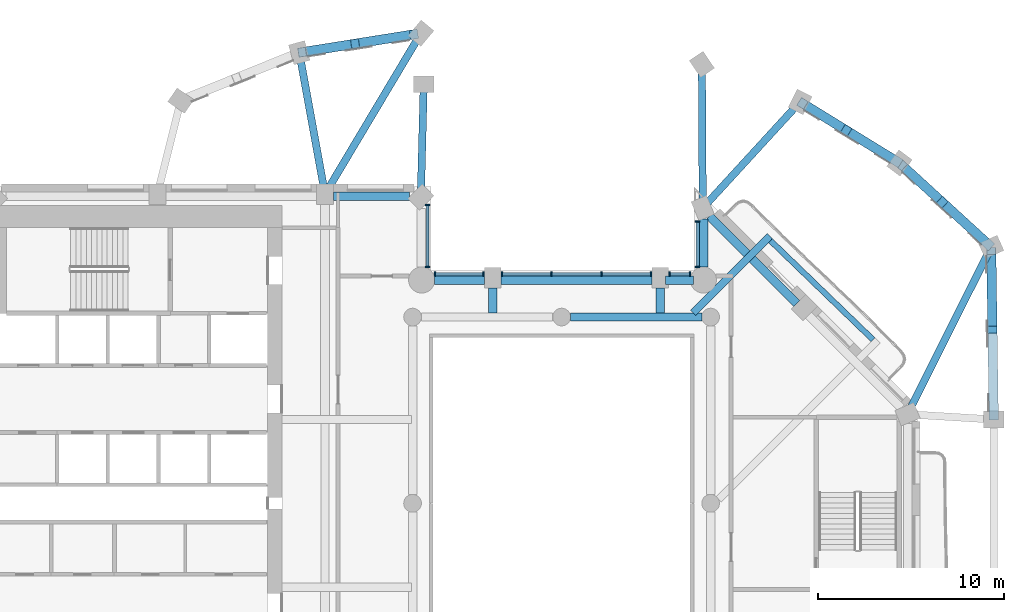
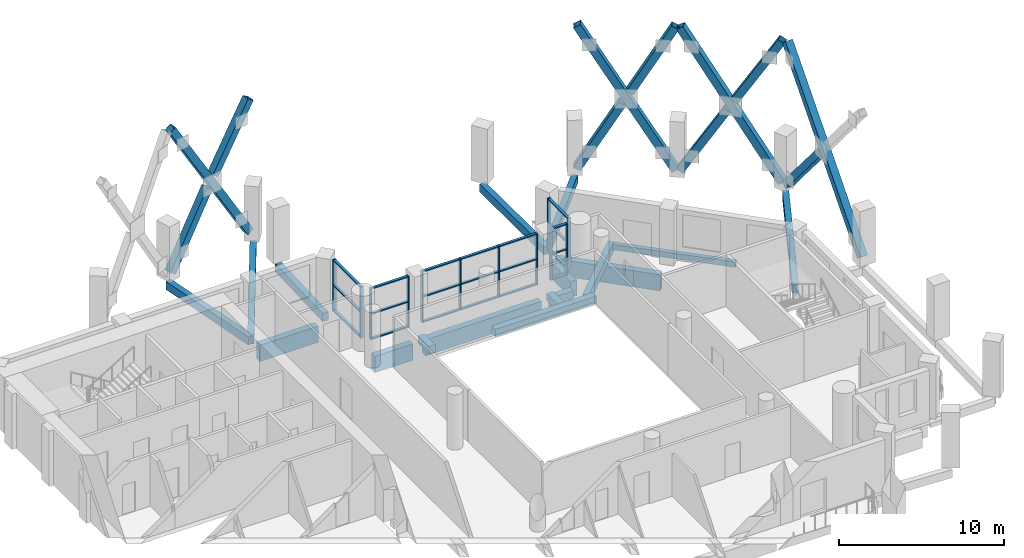
# One storey, part 2 of 15: 44 members, 17 beams, 5 elements without a shape of their own.
"""IFC4 building model written with IfcOpenShell, lengths in metres."""

from ifc_helpers import new_model, si_unit, direction, frame, origin, origin_2d, place, context, subcontext, project, spatial, rectangle, hollow_rectangle, extrude, material, material_profile, profile_set, type_object, element, aggregate, save


model = new_model("IFC4")

# Units and contexts
model_context = context("Model", 3, precision=1e-05, world=origin(), true_north=direction((0.0, 1.0)))
body_context = subcontext(model_context, "Body", "Model", "MODEL_VIEW")
ifc_project = project(units=[si_unit("LENGTHUNIT", "METRE"), si_unit("AREAUNIT", "SQUARE_METRE"), si_unit("VOLUMEUNIT", "CUBIC_METRE"), si_unit("PLANEANGLEUNIT", "RADIAN"), si_unit("MASSUNIT", "GRAM", prefix="KILO")], contexts=[model_context])

# Site, building, storey
site_placement = place(None, origin())
site = spatial("IfcSite", under=ifc_project, at=site_placement, CompositionType="ELEMENT")
building_placement = place(site_placement, origin())
building = spatial("IfcBuilding", under=site, at=building_placement, Name="Cypress Arch Tower", CompositionType="ELEMENT")
storey_placement = place(building_placement, frame((0.0, 0.0, 193.300048828125)))
storey = spatial("IfcBuildingStorey", under=building, at=storey_placement, Name="L42", CompositionType="ELEMENT", Elevation=193.300048828125)

# Beams
ifc_material_1 = material(Name="Concrete C50/60", Category="concrete")
ifc_material_profile_1 = material_profile(ifc_material_1, rectangle(XDim=0.300048828125, YDim=0.39990234375, at=origin_2d()), Name="RC 300x400")
ifc_profile_set_1 = profile_set([ifc_material_profile_1], Name="Concrete C50/60")
beam_type_1 = type_object("IfcBeamType", Name="Balcony edge beam RC 300x400 Concrete C50/60", PredefinedType="BEAM", material=ifc_profile_set_1)
beam_1_placement = place(storey_placement, frame((17.72216796875, 8.78076171875, -0.5), z_axis=(-0.719330084593, 0.694668431267, 0.0), x_axis=(-0.694668431267, -0.719330084593, 0.0)))
element("IfcBeam", 1, at=beam_1_placement, inside=storey, type_object=beam_type_1, Name="Balcony edge beam L42 B05", PredefinedType="BEAM", context=body_context, shape_type="SweptSolid", body=[
    extrude(rectangle(XDim=0.300048828125, YDim=0.39990234375, at=origin_2d()), origin(), (0.0, 0.0, 1.0), 7.662353515625),
])
ifc_material_2 = material(Name="Concrete C50/60", Category="concrete")
ifc_material_profile_2 = material_profile(ifc_material_2, rectangle(XDim=0.39990234375, YDim=0.64990234375, at=origin_2d()), Name="RC 400x650")
ifc_profile_set_2 = profile_set([ifc_material_profile_2], Name="Concrete C50/60")
beam_type_2 = type_object("IfcBeamType", Name="Cantilever beam RC 400x650 Concrete C50/60", PredefinedType="BEAM", material=ifc_profile_set_2)
beam_2_placement = place(storey_placement, frame((8.04931640625, 10.22509765625, -0.625), z_axis=(0.707106781187, 0.707106781187, 0.0), x_axis=(-0.707106781187, 0.707106781187, 0.0)))
element("IfcBeam", 2, at=beam_2_placement, inside=storey, type_object=beam_type_2, Name="Cantilever beam L42 B05 2", PredefinedType="BEAM", context=body_context, shape_type="SweptSolid", body=[
    extrude(rectangle(XDim=0.39990234375, YDim=0.64990234375, at=origin_2d()), origin(), (0.0, 0.0, 1.0), 5.834716796875),
])

# Members
ifc_material_3 = material(Name="Steel ASTM A500 Grade C", Category="steel")
ifc_material_profile_3 = material_profile(ifc_material_3, hollow_rectangle(XDim=0.508056640625, YDim=0.508056640625, WallThickness=0.017578125, at=origin_2d()), Name="HSS 20x20x3/4")
ifc_profile_set_3 = profile_set([ifc_material_profile_3], Name="Steel ASTM A500 Grade C")
member_type_1 = type_object("IfcMemberType", Name="Exoskeleton brace HSS 20x20x3/4 Steel ASTM A500 Grade C", PredefinedType="BRACE", material=ifc_profile_set_3)
member_1_placement = place(storey_placement, frame((-6.93212890625, 25.17529296875, 0.652099609375), z_axis=(-0.505584670669, -0.080730521878, 0.858991690077), x_axis=(0.157680025713, -0.987490257922, 0.0)))
element("IfcMember", 3, at=member_1_placement, inside=storey, type_object=member_type_1, Name="Exoskeleton brace L42 CQ02-CQ03a", PredefinedType="BRACE", context=body_context, shape_type="SweptSolid", body=[
    extrude(hollow_rectangle(XDim=0.508056640625, YDim=0.508056640625, WallThickness=0.017578125, at=origin_2d()), origin(), (0.0, 0.0, 1.0), 11.860595703125),
])
member_2_placement = place(storey_placement, frame((-6.93212890625, 25.17529296875, 10.44775390625), z_axis=(-0.520278376179, -0.083104554975, -0.849943553551), x_axis=(0.157731437326, -0.987482047269, 0.0)))
element("IfcMember", 4, at=member_2_placement, inside=storey, type_object=member_type_1, Name="Exoskeleton brace L42 CQ02-CQ03b1", PredefinedType="BRACE", context=body_context, shape_type="SweptSolid", body=[
    extrude(hollow_rectangle(XDim=0.508056640625, YDim=0.508056640625, WallThickness=0.017578125, at=origin_2d()), origin(), (0.0, 0.0, 1.0), 5.232177734375),
])
member_3_placement = place(storey_placement, frame((-12.9287109375, 24.2177734375, 0.259521484375), z_axis=(0.491532190594, 0.078459347949, 0.867317840431), x_axis=(-0.157626526516, 0.987498799057, 0.0)))
element("IfcMember", 5, at=member_3_placement, inside=storey, type_object=member_type_1, Name="Exoskeleton brace L42 CQ02-CQ03b2", PredefinedType="BRACE", context=body_context, shape_type="SweptSolid", body=[
    extrude(hollow_rectangle(XDim=0.508056640625, YDim=0.508056640625, WallThickness=0.017578125, at=origin_2d()), origin(), (0.0, 0.0, 1.0), 5.781494140625),
])
member_4_placement = place(storey_placement, frame((24.197509765625, 4.675048828125, 0.209716796875), z_axis=(-0.009415469252, 0.640534020566, 0.76787207101), x_axis=(-0.999891981245, -0.014697817606, 0.0)))
element("IfcMember", 6, at=member_4_placement, inside=storey, type_object=member_type_1, Name="Exoskeleton brace L42 CQ14-CQ15a", PredefinedType="BRACE", context=body_context, shape_type="SweptSolid", body=[
    extrude(hollow_rectangle(XDim=0.508056640625, YDim=0.508056640625, WallThickness=0.017578125, at=origin_2d()), origin(), (0.0, 0.0, 1.0), 13.846435546875),
])
member_5_placement = place(storey_placement, frame((24.067138671875, 13.544189453125, 0.2578125), z_axis=(0.009415963379, -0.642250258031, 0.766437176612), x_axis=(0.999892546406, 0.014659319295, 0.0)))
element("IfcMember", 7, at=member_5_placement, inside=storey, type_object=member_type_1, Name="Exoskeleton brace L42 CQ14-CQ15b2", PredefinedType="BRACE", context=body_context, shape_type="SweptSolid", body=[
    extrude(hollow_rectangle(XDim=0.508056640625, YDim=0.508056640625, WallThickness=0.017578125, at=origin_2d()), origin(), (0.0, 0.0, 1.0), 6.585693359375),
])
member_6_placement = place(storey_placement, frame((23.921875, 13.88916015625, 0.31982421875), z_axis=(-0.38024185119, 0.348034813706, 0.856906005961), x_axis=(-0.675176044465, -0.737656633523, 0.0)))
element("IfcMember", 8, at=member_6_placement, inside=storey, type_object=member_type_1, Name="Exoskeleton brace L42 CQ15-CQ16a", PredefinedType="BRACE", context=body_context, shape_type="SweptSolid", body=[
    extrude(hollow_rectangle(XDim=0.508056640625, YDim=0.508056640625, WallThickness=0.017578125, at=origin_2d()), origin(), (0.0, 0.0, 1.0), 12.2802734375),
])
member_7_placement = place(storey_placement, frame((23.921875, 13.88916015625, 10.780029296875), z_axis=(-0.381923937811, 0.349569899146, -0.85553199317), x_axis=(-0.675171287783, -0.737660987279, 0.0)))
element("IfcMember", 9, at=member_7_placement, inside=storey, type_object=member_type_1, Name="Exoskeleton brace L42 CQ15-CQ16b1", PredefinedType="BRACE", context=body_context, shape_type="SweptSolid", body=[
    extrude(hollow_rectangle(XDim=0.508056640625, YDim=0.508056640625, WallThickness=0.017578125, at=origin_2d()), origin(), (0.0, 0.0, 1.0), 5.674560546875),
])
member_8_placement = place(storey_placement, frame((19.25244140625, 18.1630859375, 0.257080078125), z_axis=(0.378598463486, -0.346526055601, 0.858244077309), x_axis=(0.67517120176, 0.737661066014, 0.0)))
element("IfcMember", 10, at=member_8_placement, inside=storey, type_object=member_type_1, Name="Exoskeleton brace L42 CQ15-CQ16b2", PredefinedType="BRACE", context=body_context, shape_type="SweptSolid", body=[
    extrude(hollow_rectangle(XDim=0.508056640625, YDim=0.508056640625, WallThickness=0.017578125, at=origin_2d()), origin(), (0.0, 0.0, 1.0), 5.762451171875),
])
member_9_placement = place(storey_placement, frame((19.010009765625, 18.346435546875, 0.2666015625), z_axis=(-0.418595293568, 0.257459346306, 0.87091484383), x_axis=(-0.523894090473, -0.851783412592, 0.0)))
element("IfcMember", 11, at=member_9_placement, inside=storey, type_object=member_type_1, Name="Exoskeleton brace L42 CQ16-CQ17a", PredefinedType="BRACE", context=body_context, shape_type="SweptSolid", body=[
    extrude(hollow_rectangle(XDim=0.508056640625, YDim=0.508056640625, WallThickness=0.017578125, at=origin_2d()), origin(), (0.0, 0.0, 1.0), 12.133056640625),
])
for number, where, z_axis, x_axis, name in (
    (12, (19.010009765625, 18.346435546875, 10.833251953125), (-0.418572217286, 0.257489285068, -0.870917083879), (-0.523959244261, -0.851743335961, 0.0), "Exoskeleton brace L42 CQ16-CQ17b1"),
    (13, (13.93115234375, 21.47021484375, 0.2666015625), (0.418612751014, -0.257444016639, 0.870910984536), (0.523855606168, 0.851807081378, 0.0), "Exoskeleton brace L42 CQ16-CQ17b2"),
):
    element("IfcMember", number, at=place(storey_placement, frame(where, z_axis=z_axis, x_axis=x_axis)), inside=storey, type_object=member_type_1, Name=name, PredefinedType="BRACE", context=body_context, shape_type="SweptSolid", body=[
        extrude(hollow_rectangle(XDim=0.508056640625, YDim=0.508056640625, WallThickness=0.017578125, at=origin_2d()), origin(), (0.0, 0.0, 1.0), 5.616943359375),
    ])

# Beams
ifc_material_4 = material(Name="Concrete C50/60", Category="concrete")
ifc_material_profile_4 = material_profile(ifc_material_4, rectangle(XDim=0.449951171875, YDim=0.550048828125, at=origin_2d()), Name="RC 450x550")
ifc_profile_set_4 = profile_set([ifc_material_profile_4], Name="Concrete C50/60")
beam_type_3 = type_object("IfcBeamType", Name="Floor beam RC 450x550 Concrete C50/60", PredefinedType="BEAM", material=ifc_profile_set_4)
beam_3_placement = place(storey_placement, frame((1.47509765625, 10.0, -0.574951171875), z_axis=(1.0, 0.0, 0.0), x_axis=(0.0, 1.0, 0.0)))
element("IfcBeam", 14, at=beam_3_placement, inside=storey, type_object=beam_type_3, Name="Floor beam L42 RB008", PredefinedType="BEAM", context=body_context, shape_type="SweptSolid", body=[
    extrude(rectangle(XDim=0.449951171875, YDim=0.550048828125, at=origin_2d()), origin(), (0.0, 0.0, 1.0), 7.0498046875),
])
for number, where, z_axis, x_axis, name in (
    (15, (-2.699951171875, 10.22509765625, -0.574951171875), (0.0, 1.0, 0.0), (-1.0, 0.0, 0.0), "Floor beam L42 FB015"),
    (16, (6.300048828125, 10.22509765625, -0.574951171875), (0.0, 1.0, 0.0), (-1.0, 0.0, 0.0), "Floor beam L42 FB017"),
):
    element("IfcBeam", number, at=place(storey_placement, frame(where, z_axis=z_axis, x_axis=x_axis)), inside=storey, type_object=beam_type_3, Name=name, PredefinedType="BEAM", context=body_context, shape_type="SweptSolid", body=[
        extrude(rectangle(XDim=0.449951171875, YDim=0.550048828125, at=origin_2d()), origin(), (0.0, 0.0, 1.0), 1.324951171875),
    ])

# Curtain wall, members
ifc_material_5 = material(Name="Anodised aluminium, bronze finish, clear laminated double glazing", Category="aluminium")
curtain_wall_type = type_object("IfcCurtainWallType", Name="Curtain wall CW7 slot glazing", PredefinedType="NOTDEFINED", material=ifc_material_5)
curtain_wall_1_placement = place(storey_placement, origin())
curtain_wall_1 = element("IfcCurtainWall", 17, at=curtain_wall_1_placement, inside=storey, type_object=curtain_wall_type, Name="Curtain wall L42 slot B06.0", PredefinedType="NOTDEFINED")
ifc_material_6 = material(Name="Anodised aluminium, bronze finish", Category="aluminium")
ifc_material_profile_5 = material_profile(ifc_material_6, rectangle(XDim=0.239990234375, YDim=0.0849609375, at=origin_2d()), Name="Mullion 85x240")
ifc_profile_set_5 = profile_set([ifc_material_profile_5], Name="Anodised aluminium, bronze finish")
member_type_2 = type_object("IfcMemberType", Name="Mullion CW7 85x240", PredefinedType="MULLION", material=ifc_profile_set_5)
member_10_placement = place(storey_placement, frame((8.300048828125, 15.12744140625, 0.0), z_axis=(0.0, 0.0, 1.0), x_axis=(1.0, 0.0, 0.0)))
member_10 = element("IfcMember", 18, at=member_10_placement, type_object=member_type_2, Name="CW7 mullion 1", PredefinedType="MULLION", context=body_context, shape_type="SweptSolid", body=[
    extrude(rectangle(XDim=0.239990234375, YDim=0.0849609375, at=origin_2d()), origin(), (0.0, 0.0, 1.0), 3.800048828125),
])
member_11_placement = place(storey_placement, frame((8.300048828125, 12.697021484375, 0.0), z_axis=(0.0, 0.0, 1.0), x_axis=(1.0, 0.0, 0.0)))
member_11 = element("IfcMember", 19, at=member_11_placement, type_object=member_type_2, Name="CW7 mullion 2", PredefinedType="MULLION", context=body_context, shape_type="SweptSolid", body=[
    extrude(rectangle(XDim=0.239990234375, YDim=0.0849609375, at=origin_2d()), origin(), (0.0, 0.0, 1.0), 3.800048828125),
])

curtain_wall_2_placement = place(storey_placement, origin())
curtain_wall_2 = element("IfcCurtainWall", 20, at=curtain_wall_2_placement, inside=storey, type_object=curtain_wall_type, Name="Curtain wall L42 slot B07.0", PredefinedType="NOTDEFINED")
member_12_placement = place(storey_placement, frame((7.903076171875, 12.300048828125, 0.0), z_axis=(0.0, 0.0, 1.0), x_axis=(0.0, -1.0, 0.0)))
member_12 = element("IfcMember", 21, at=member_12_placement, type_object=member_type_2, Name="CW7 mullion 1", PredefinedType="MULLION", context=body_context, shape_type="SweptSolid", body=[
    extrude(rectangle(XDim=0.239990234375, YDim=0.0849609375, at=origin_2d()), origin(), (0.0, 0.0, 1.0), 3.800048828125),
])
member_13_placement = place(storey_placement, frame((6.79248046875, 12.300048828125, 0.0), z_axis=(0.0, 0.0, 1.0), x_axis=(0.0, -1.0, 0.0)))
member_13 = element("IfcMember", 22, at=member_13_placement, type_object=member_type_2, Name="CW7 mullion 2", PredefinedType="MULLION", context=body_context, shape_type="SweptSolid", body=[
    extrude(rectangle(XDim=0.239990234375, YDim=0.0849609375, at=origin_2d()), origin(), (0.0, 0.0, 1.0), 3.800048828125),
])

curtain_wall_3_placement = place(storey_placement, origin())
curtain_wall_3 = element("IfcCurtainWall", 23, at=curtain_wall_3_placement, inside=storey, type_object=curtain_wall_type, Name="Curtain wall L42 slot B07.1", PredefinedType="NOTDEFINED")
member_14_placement = place(storey_placement, frame((5.8076171875, 12.300048828125, 0.0), z_axis=(0.0, 0.0, 1.0), x_axis=(0.0, -1.0, 0.0)))
member_14 = element("IfcMember", 24, at=member_14_placement, type_object=member_type_2, Name="CW7 mullion 1", PredefinedType="MULLION", context=body_context, shape_type="SweptSolid", body=[
    extrude(rectangle(XDim=0.239990234375, YDim=0.0849609375, at=origin_2d()), origin(), (0.0, 0.0, 1.0), 3.800048828125),
])
member_15_placement = place(storey_placement, frame((3.14990234375, 12.300048828125, 0.0), z_axis=(0.0, 0.0, 1.0), x_axis=(0.0, -1.0, 0.0)))
member_15 = element("IfcMember", 25, at=member_15_placement, type_object=member_type_2, Name="CW7 mullion 2", PredefinedType="MULLION", context=body_context, shape_type="SweptSolid", body=[
    extrude(rectangle(XDim=0.239990234375, YDim=0.0849609375, at=origin_2d()), origin(), (0.0, 0.0, 1.0), 3.800048828125),
])
member_16_placement = place(storey_placement, frame((0.449951171875, 12.300048828125, 0.0), z_axis=(0.0, 0.0, 1.0), x_axis=(0.0, -1.0, 0.0)))
member_16 = element("IfcMember", 26, at=member_16_placement, type_object=member_type_2, Name="CW7 mullion 3", PredefinedType="MULLION", context=body_context, shape_type="SweptSolid", body=[
    extrude(rectangle(XDim=0.239990234375, YDim=0.0849609375, at=origin_2d()), origin(), (0.0, 0.0, 1.0), 3.800048828125),
])
member_17_placement = place(storey_placement, frame((-2.20751953125, 12.300048828125, 0.0), z_axis=(0.0, 0.0, 1.0), x_axis=(0.0, -1.0, 0.0)))
member_17 = element("IfcMember", 27, at=member_17_placement, type_object=member_type_2, Name="CW7 mullion 4", PredefinedType="MULLION", context=body_context, shape_type="SweptSolid", body=[
    extrude(rectangle(XDim=0.239990234375, YDim=0.0849609375, at=origin_2d()), origin(), (0.0, 0.0, 1.0), 3.800048828125),
])

curtain_wall_4_placement = place(storey_placement, origin())
curtain_wall_4 = element("IfcCurtainWall", 28, at=curtain_wall_4_placement, inside=storey, type_object=curtain_wall_type, Name="Curtain wall L42 slot B07.2", PredefinedType="NOTDEFINED")
member_18_placement = place(storey_placement, frame((-3.1923828125, 12.300048828125, 0.0), z_axis=(0.0, 0.0, 1.0), x_axis=(0.0, -1.0, 0.0)))
member_18 = element("IfcMember", 29, at=member_18_placement, type_object=member_type_2, Name="CW7 mullion 1", PredefinedType="MULLION", context=body_context, shape_type="SweptSolid", body=[
    extrude(rectangle(XDim=0.239990234375, YDim=0.0849609375, at=origin_2d()), origin(), (0.0, 0.0, 1.0), 3.800048828125),
])
member_19_placement = place(storey_placement, frame((-5.802978515625, 12.300048828125, 0.0), z_axis=(0.0, 0.0, 1.0), x_axis=(0.0, -1.0, 0.0)))
member_19 = element("IfcMember", 30, at=member_19_placement, type_object=member_type_2, Name="CW7 mullion 2", PredefinedType="MULLION", context=body_context, shape_type="SweptSolid", body=[
    extrude(rectangle(XDim=0.239990234375, YDim=0.0849609375, at=origin_2d()), origin(), (0.0, 0.0, 1.0), 3.800048828125),
])

curtain_wall_5_placement = place(storey_placement, origin())
curtain_wall_5 = element("IfcCurtainWall", 31, at=curtain_wall_5_placement, inside=storey, type_object=curtain_wall_type, Name="Curtain wall L42 slot B08.0", PredefinedType="NOTDEFINED")
member_20_placement = place(storey_placement, frame((-6.199951171875, 12.697021484375, 0.0), z_axis=(0.0, 0.0, 1.0), x_axis=(-1.0, 0.0, 0.0)))
member_20 = element("IfcMember", 32, at=member_20_placement, type_object=member_type_2, Name="CW7 mullion 1", PredefinedType="MULLION", context=body_context, shape_type="SweptSolid", body=[
    extrude(rectangle(XDim=0.239990234375, YDim=0.0849609375, at=origin_2d()), origin(), (0.0, 0.0, 1.0), 3.800048828125),
])
member_21_placement = place(storey_placement, frame((-6.199951171875, 16.02099609375, 0.0), z_axis=(0.0, 0.0, 1.0), x_axis=(-1.0, 0.0, 0.0)))
member_21 = element("IfcMember", 33, at=member_21_placement, type_object=member_type_2, Name="CW7 mullion 2", PredefinedType="MULLION", context=body_context, shape_type="SweptSolid", body=[
    extrude(rectangle(XDim=0.239990234375, YDim=0.0849609375, at=origin_2d()), origin(), (0.0, 0.0, 1.0), 3.800048828125),
])

# Beams
ifc_material_7 = material(Name="Concrete C50/60", Category="concrete")
ifc_material_profile_6 = material_profile(ifc_material_7, rectangle(XDim=0.39990234375, YDim=0.60009765625, at=origin_2d()), Name="RC 400x600")
ifc_profile_set_6 = profile_set([ifc_material_profile_6], Name="Concrete C50/60")
beam_type_4 = type_object("IfcBeamType", Name="Pilotis tie beam RC 400x600 Concrete C50/60", PredefinedType="BEAM", material=ifc_profile_set_6)
beam_4_placement = place(storey_placement, frame((8.53076171875, 23.564697265625, -0.60009765625), z_axis=(0.005886346529, -0.999982675312, 0.0), x_axis=(0.999982675312, 0.005886346529, 0.0)))
element("IfcBeam", 34, at=beam_4_placement, inside=storey, type_object=beam_type_4, Name="Pilotis tie beam L42 CQ00-CB12", PredefinedType="BEAM", context=body_context, shape_type="SweptSolid", body=[
    extrude(rectangle(XDim=0.39990234375, YDim=0.60009765625, at=origin_2d()), origin(), (0.0, 0.0, 1.0), 7.714599609375),
])
beam_5_placement = place(storey_placement, frame((-6.39990234375, 22.5, -0.60009765625), z_axis=(-0.02594853496, -0.999663280077, 0.0), x_axis=(0.999663280077, -0.02594853496, 0.0)))
element("IfcBeam", 35, at=beam_5_placement, inside=storey, type_object=beam_type_4, Name="Pilotis tie beam L42 CQ01-CB17", PredefinedType="BEAM", context=body_context, shape_type="SweptSolid", body=[
    extrude(rectangle(XDim=0.39990234375, YDim=0.60009765625, at=origin_2d()), origin(), (0.0, 0.0, 1.0), 6.05908203125),
])
beam_6_placement = place(storey_placement, frame((-6.54833984375, 25.236572265625, -0.60009765625), z_axis=(-0.51228050024, -0.85881819326, 0.0), x_axis=(0.85881819326, -0.51228050024, 0.0)))
element("IfcBeam", 36, at=beam_6_placement, inside=storey, type_object=beam_type_4, Name="Pilotis tie beam L42 CQ02-CB18", PredefinedType="BEAM", context=body_context, shape_type="SweptSolid", body=[
    extrude(rectangle(XDim=0.39990234375, YDim=0.60009765625, at=origin_2d()), origin(), (0.0, 0.0, 1.0), 10.05615234375),
])
beam_7_placement = place(storey_placement, frame((-13.081298828125, 24.193359375, -0.60009765625), z_axis=(0.178980083609, -0.983852697141, 0.0), x_axis=(0.983852697141, 0.178980083609, 0.0)))
element("IfcBeam", 37, at=beam_7_placement, inside=storey, type_object=beam_type_4, Name="Pilotis tie beam L42 CQ03-CB18", PredefinedType="BEAM", context=body_context, shape_type="SweptSolid", body=[
    extrude(rectangle(XDim=0.39990234375, YDim=0.60009765625, at=origin_2d()), origin(), (0.0, 0.0, 1.0), 7.7177734375),
])
beam_8_placement = place(storey_placement, frame((24.06396484375, 13.75927734375, -0.60009765625), z_axis=(-0.447602582549, -0.894232591721, 0.0), x_axis=(0.894232591721, -0.447602582549, 0.0)))
element("IfcBeam", 38, at=beam_8_placement, inside=storey, type_object=beam_type_4, Name="Pilotis tie beam L42 CQ15-CB10", PredefinedType="BEAM", context=body_context, shape_type="SweptSolid", body=[
    extrude(rectangle(XDim=0.39990234375, YDim=0.60009765625, at=origin_2d()), origin(), (0.0, 0.0, 1.0), 10.041015625),
])
beam_9_placement = place(storey_placement, frame((13.80322265625, 21.549072265625, -0.60009765625), z_axis=(-0.675950483499, -0.736947042776, 0.0), x_axis=(0.736947042776, -0.675950483499, 0.0)))
element("IfcBeam", 39, at=beam_9_placement, inside=storey, type_object=beam_type_4, Name="Pilotis tie beam L42 CQ17-CB12", PredefinedType="BEAM", context=body_context, shape_type="SweptSolid", body=[
    extrude(rectangle(XDim=0.39990234375, YDim=0.60009765625, at=origin_2d()), origin(), (0.0, 0.0, 1.0), 7.73291015625),
])
ifc_material_8 = material(Name="Concrete C50/60", Category="concrete")
ifc_material_profile_7 = material_profile(ifc_material_8, rectangle(XDim=0.449951171875, YDim=1.199951171875, at=origin_2d()), Name="RC 450x1200")
ifc_profile_set_7 = profile_set([ifc_material_profile_7], Name="Concrete C50/60")
beam_type_5 = type_object("IfcBeamType", Name="Spandrel beam RC 450x1200 Concrete C50/60", PredefinedType="SPANDREL", material=ifc_profile_set_7)
beam_10_placement = place(storey_placement, frame((13.622802734375, 10.73486328125, -1.550048828125), z_axis=(-0.707106781187, 0.707106781187, 0.0), x_axis=(-0.707106781187, -0.707106781187, 0.0)))
element("IfcBeam", 40, at=beam_10_placement, inside=storey, type_object=beam_type_5, Name="Spandrel beam L42 BB05-1", PredefinedType="SPANDREL", context=body_context, shape_type="SweptSolid", body=[
    extrude(rectangle(XDim=0.449951171875, YDim=1.199951171875, at=origin_2d()), origin(), (0.0, 0.0, 1.0), 6.610595703125),
])
beam_11_placement = place(storey_placement, frame((8.625, 15.275146484375, -1.550048828125), z_axis=(0.0, -1.0, 0.0), x_axis=(1.0, 0.0, 0.0)))
element("IfcBeam", 41, at=beam_11_placement, inside=storey, type_object=beam_type_5, Name="Spandrel beam L42 BB06-0", PredefinedType="SPANDREL", context=body_context, shape_type="SweptSolid", body=[
    extrude(rectangle(XDim=0.449951171875, YDim=1.199951171875, at=origin_2d()), origin(), (0.0, 0.0, 1.0), 2.587646484375),
])
beam_12_placement = place(storey_placement, frame((8.081298828125, 11.97509765625, -1.550048828125), z_axis=(-1.0, 0.0, 0.0), x_axis=(0.0, -1.0, 0.0)))
element("IfcBeam", 42, at=beam_12_placement, inside=storey, type_object=beam_type_5, Name="Spandrel beam L42 BB07-0", PredefinedType="SPANDREL", context=body_context, shape_type="SweptSolid", body=[
    extrude(rectangle(XDim=0.449951171875, YDim=1.199951171875, at=origin_2d()), origin(), (0.0, 0.0, 1.0), 1.5),
])
beam_13_placement = place(storey_placement, frame((5.85009765625, 11.97509765625, -1.550048828125), z_axis=(-1.0, 0.0, 0.0), x_axis=(0.0, -1.0, 0.0)))
element("IfcBeam", 43, at=beam_13_placement, inside=storey, type_object=beam_type_5, Name="Spandrel beam L42 BB07-1", PredefinedType="SPANDREL", context=body_context, shape_type="SweptSolid", body=[
    extrude(rectangle(XDim=0.449951171875, YDim=1.199951171875, at=origin_2d()), origin(), (0.0, 0.0, 1.0), 8.10009765625),
])
beam_14_placement = place(storey_placement, frame((-3.14990234375, 11.97509765625, -1.550048828125), z_axis=(-1.0, 0.0, 0.0), x_axis=(0.0, -1.0, 0.0)))
element("IfcBeam", 44, at=beam_14_placement, inside=storey, type_object=beam_type_5, Name="Spandrel beam L42 BB07-2", PredefinedType="SPANDREL", context=body_context, shape_type="SweptSolid", body=[
    extrude(rectangle(XDim=0.449951171875, YDim=1.199951171875, at=origin_2d()), origin(), (0.0, 0.0, 1.0), 2.66259765625),
])
beam_15_placement = place(storey_placement, frame((-7.161376953125, 16.47509765625, -1.550048828125), z_axis=(-1.0, 0.0, 0.0), x_axis=(0.0, -1.0, 0.0)))
element("IfcBeam", 45, at=beam_15_placement, inside=storey, type_object=beam_type_5, Name="Spandrel beam L42 BB09-0", PredefinedType="SPANDREL", context=body_context, shape_type="SweptSolid", body=[
    extrude(rectangle(XDim=0.449951171875, YDim=1.199951171875, at=origin_2d()), origin(), (0.0, 0.0, 1.0), 4.088623046875),
])

# Member
ifc_material_9 = material(Name="Anodised aluminium, bronze finish", Category="aluminium")
ifc_material_profile_8 = material_profile(ifc_material_9, rectangle(XDim=0.179931640625, YDim=0.0849609375, at=origin_2d()), Name="Transom 85x180")
ifc_profile_set_8 = profile_set([ifc_material_profile_8], Name="Anodised aluminium, bronze finish")
member_type_3 = type_object("IfcMemberType", Name="Transom CW7 85x180", PredefinedType="USERDEFINED", material=ifc_profile_set_8)
member_22_placement = place(storey_placement, frame((8.300048828125, 15.0849609375, 0.04248046875), z_axis=(0.0, -1.0, 0.0), x_axis=(1.0, 0.0, 0.0)))
member_22 = element("IfcMember", 46, at=member_22_placement, type_object=member_type_3, Name="CW7 transom 1.1", ObjectType="TRANSOM", PredefinedType="USERDEFINED", context=body_context, shape_type="SweptSolid", body=[
    extrude(rectangle(XDim=0.179931640625, YDim=0.0849609375, at=origin_2d()), origin(), (0.0, 0.0, 1.0), 2.345458984375),
])

member_23_placement = place(storey_placement, frame((8.300048828125, 15.0849609375, 1.89990234375), z_axis=(0.0, -1.0, 0.0), x_axis=(1.0, 0.0, 0.0)))
member_23 = element("IfcMember", 47, at=member_23_placement, type_object=member_type_3, Name="CW7 transom 1.2", ObjectType="TRANSOM", PredefinedType="USERDEFINED", context=body_context, shape_type="SweptSolid", body=[
    extrude(rectangle(XDim=0.179931640625, YDim=0.0849609375, at=origin_2d()), origin(), (0.0, 0.0, 1.0), 2.345458984375),
])

member_24_placement = place(storey_placement, frame((8.300048828125, 15.0849609375, 3.757568359375), z_axis=(0.0, -1.0, 0.0), x_axis=(1.0, 0.0, 0.0)))
member_24 = element("IfcMember", 48, at=member_24_placement, type_object=member_type_3, Name="CW7 transom 1.3", ObjectType="TRANSOM", PredefinedType="USERDEFINED", context=body_context, shape_type="SweptSolid", body=[
    extrude(rectangle(XDim=0.179931640625, YDim=0.0849609375, at=origin_2d()), origin(), (0.0, 0.0, 1.0), 2.345458984375),
])

aggregate(curtain_wall_1, [member_10, member_11, member_22, member_23, member_24])

member_25_placement = place(storey_placement, frame((7.8603515625, 12.300048828125, 0.04248046875), z_axis=(-1.0, 0.0, 0.0), x_axis=(0.0, -1.0, 0.0)))
member_25 = element("IfcMember", 49, at=member_25_placement, type_object=member_type_3, Name="CW7 transom 1.1", ObjectType="TRANSOM", PredefinedType="USERDEFINED", context=body_context, shape_type="SweptSolid", body=[
    extrude(rectangle(XDim=0.179931640625, YDim=0.0849609375, at=origin_2d()), origin(), (0.0, 0.0, 1.0), 1.025390625),
])

member_26_placement = place(storey_placement, frame((7.8603515625, 12.300048828125, 1.89990234375), z_axis=(-1.0, 0.0, 0.0), x_axis=(0.0, -1.0, 0.0)))
member_26 = element("IfcMember", 50, at=member_26_placement, type_object=member_type_3, Name="CW7 transom 1.2", ObjectType="TRANSOM", PredefinedType="USERDEFINED", context=body_context, shape_type="SweptSolid", body=[
    extrude(rectangle(XDim=0.179931640625, YDim=0.0849609375, at=origin_2d()), origin(), (0.0, 0.0, 1.0), 1.025390625),
])

member_27_placement = place(storey_placement, frame((7.8603515625, 12.300048828125, 3.757568359375), z_axis=(-1.0, 0.0, 0.0), x_axis=(0.0, -1.0, 0.0)))
member_27 = element("IfcMember", 51, at=member_27_placement, type_object=member_type_3, Name="CW7 transom 1.3", ObjectType="TRANSOM", PredefinedType="USERDEFINED", context=body_context, shape_type="SweptSolid", body=[
    extrude(rectangle(XDim=0.179931640625, YDim=0.0849609375, at=origin_2d()), origin(), (0.0, 0.0, 1.0), 1.025390625),
])

aggregate(curtain_wall_2, [member_12, member_13, member_25, member_26, member_27])

member_28_placement = place(storey_placement, frame((5.764892578125, 12.300048828125, 0.04248046875), z_axis=(-1.0, 0.0, 0.0), x_axis=(0.0, -1.0, 0.0)))
member_28 = element("IfcMember", 52, at=member_28_placement, type_object=member_type_3, Name="CW7 transom 1.1", ObjectType="TRANSOM", PredefinedType="USERDEFINED", context=body_context, shape_type="SweptSolid", body=[
    extrude(rectangle(XDim=0.179931640625, YDim=0.0849609375, at=origin_2d()), origin(), (0.0, 0.0, 1.0), 2.572509765625),
])

member_29_placement = place(storey_placement, frame((5.764892578125, 12.300048828125, 1.89990234375), z_axis=(-1.0, 0.0, 0.0), x_axis=(0.0, -1.0, 0.0)))
member_29 = element("IfcMember", 53, at=member_29_placement, type_object=member_type_3, Name="CW7 transom 1.2", ObjectType="TRANSOM", PredefinedType="USERDEFINED", context=body_context, shape_type="SweptSolid", body=[
    extrude(rectangle(XDim=0.179931640625, YDim=0.0849609375, at=origin_2d()), origin(), (0.0, 0.0, 1.0), 2.572509765625),
])

member_30_placement = place(storey_placement, frame((5.764892578125, 12.300048828125, 3.757568359375), z_axis=(-1.0, 0.0, 0.0), x_axis=(0.0, -1.0, 0.0)))
member_30 = element("IfcMember", 54, at=member_30_placement, type_object=member_type_3, Name="CW7 transom 1.3", ObjectType="TRANSOM", PredefinedType="USERDEFINED", context=body_context, shape_type="SweptSolid", body=[
    extrude(rectangle(XDim=0.179931640625, YDim=0.0849609375, at=origin_2d()), origin(), (0.0, 0.0, 1.0), 2.572509765625),
])

member_31_placement = place(storey_placement, frame((3.107421875, 12.300048828125, 0.04248046875), z_axis=(-1.0, 0.0, 0.0), x_axis=(0.0, -1.0, 0.0)))
member_31 = element("IfcMember", 55, at=member_31_placement, type_object=member_type_3, Name="CW7 transom 2.1", ObjectType="TRANSOM", PredefinedType="USERDEFINED", context=body_context, shape_type="SweptSolid", body=[
    extrude(rectangle(XDim=0.179931640625, YDim=0.0849609375, at=origin_2d()), origin(), (0.0, 0.0, 1.0), 2.614990234375),
])

member_32_placement = place(storey_placement, frame((3.107421875, 12.300048828125, 1.89990234375), z_axis=(-1.0, 0.0, 0.0), x_axis=(0.0, -1.0, 0.0)))
member_32 = element("IfcMember", 56, at=member_32_placement, type_object=member_type_3, Name="CW7 transom 2.2", ObjectType="TRANSOM", PredefinedType="USERDEFINED", context=body_context, shape_type="SweptSolid", body=[
    extrude(rectangle(XDim=0.179931640625, YDim=0.0849609375, at=origin_2d()), origin(), (0.0, 0.0, 1.0), 2.614990234375),
])

member_33_placement = place(storey_placement, frame((3.107421875, 12.300048828125, 3.757568359375), z_axis=(-1.0, 0.0, 0.0), x_axis=(0.0, -1.0, 0.0)))
member_33 = element("IfcMember", 57, at=member_33_placement, type_object=member_type_3, Name="CW7 transom 2.3", ObjectType="TRANSOM", PredefinedType="USERDEFINED", context=body_context, shape_type="SweptSolid", body=[
    extrude(rectangle(XDim=0.179931640625, YDim=0.0849609375, at=origin_2d()), origin(), (0.0, 0.0, 1.0), 2.614990234375),
])

member_34_placement = place(storey_placement, frame((0.407470703125, 12.300048828125, 0.04248046875), z_axis=(-1.0, 0.0, 0.0), x_axis=(0.0, -1.0, 0.0)))
member_34 = element("IfcMember", 58, at=member_34_placement, type_object=member_type_3, Name="CW7 transom 3.1", ObjectType="TRANSOM", PredefinedType="USERDEFINED", context=body_context, shape_type="SweptSolid", body=[
    extrude(rectangle(XDim=0.179931640625, YDim=0.0849609375, at=origin_2d()), origin(), (0.0, 0.0, 1.0), 2.572509765625),
])

member_35_placement = place(storey_placement, frame((0.407470703125, 12.300048828125, 1.89990234375), z_axis=(-1.0, 0.0, 0.0), x_axis=(0.0, -1.0, 0.0)))
member_35 = element("IfcMember", 59, at=member_35_placement, type_object=member_type_3, Name="CW7 transom 3.2", ObjectType="TRANSOM", PredefinedType="USERDEFINED", context=body_context, shape_type="SweptSolid", body=[
    extrude(rectangle(XDim=0.179931640625, YDim=0.0849609375, at=origin_2d()), origin(), (0.0, 0.0, 1.0), 2.572509765625),
])

member_36_placement = place(storey_placement, frame((0.407470703125, 12.300048828125, 3.757568359375), z_axis=(-1.0, 0.0, 0.0), x_axis=(0.0, -1.0, 0.0)))
member_36 = element("IfcMember", 60, at=member_36_placement, type_object=member_type_3, Name="CW7 transom 3.3", ObjectType="TRANSOM", PredefinedType="USERDEFINED", context=body_context, shape_type="SweptSolid", body=[
    extrude(rectangle(XDim=0.179931640625, YDim=0.0849609375, at=origin_2d()), origin(), (0.0, 0.0, 1.0), 2.572509765625),
])

aggregate(curtain_wall_3, [member_14, member_15, member_16, member_17, member_28, member_29, member_30, member_31, member_32, member_33, member_34, member_35, member_36])

member_37_placement = place(storey_placement, frame((-3.235107421875, 12.300048828125, 0.04248046875), z_axis=(-1.0, 0.0, 0.0), x_axis=(0.0, -1.0, 0.0)))
member_37 = element("IfcMember", 61, at=member_37_placement, type_object=member_type_3, Name="CW7 transom 1.1", ObjectType="TRANSOM", PredefinedType="USERDEFINED", context=body_context, shape_type="SweptSolid", body=[
    extrude(rectangle(XDim=0.179931640625, YDim=0.0849609375, at=origin_2d()), origin(), (0.0, 0.0, 1.0), 2.525390625),
])

member_38_placement = place(storey_placement, frame((-3.235107421875, 12.300048828125, 1.89990234375), z_axis=(-1.0, 0.0, 0.0), x_axis=(0.0, -1.0, 0.0)))
member_38 = element("IfcMember", 62, at=member_38_placement, type_object=member_type_3, Name="CW7 transom 1.2", ObjectType="TRANSOM", PredefinedType="USERDEFINED", context=body_context, shape_type="SweptSolid", body=[
    extrude(rectangle(XDim=0.179931640625, YDim=0.0849609375, at=origin_2d()), origin(), (0.0, 0.0, 1.0), 2.525390625),
])

member_39_placement = place(storey_placement, frame((-3.235107421875, 12.300048828125, 3.757568359375), z_axis=(-1.0, 0.0, 0.0), x_axis=(0.0, -1.0, 0.0)))
member_39 = element("IfcMember", 63, at=member_39_placement, type_object=member_type_3, Name="CW7 transom 1.3", ObjectType="TRANSOM", PredefinedType="USERDEFINED", context=body_context, shape_type="SweptSolid", body=[
    extrude(rectangle(XDim=0.179931640625, YDim=0.0849609375, at=origin_2d()), origin(), (0.0, 0.0, 1.0), 2.525390625),
])

aggregate(curtain_wall_4, [member_18, member_19, member_37, member_38, member_39])

member_40_placement = place(storey_placement, frame((-6.199951171875, 12.739501953125, 0.04248046875), z_axis=(0.0, 1.0, 0.0), x_axis=(-1.0, 0.0, 0.0)))
member_40 = element("IfcMember", 64, at=member_40_placement, type_object=member_type_3, Name="CW7 transom 1.1", ObjectType="TRANSOM", PredefinedType="USERDEFINED", context=body_context, shape_type="SweptSolid", body=[
    extrude(rectangle(XDim=0.179931640625, YDim=0.0849609375, at=origin_2d()), origin(), (0.0, 0.0, 1.0), 3.239013671875),
])

member_41_placement = place(storey_placement, frame((-6.199951171875, 12.739501953125, 1.89990234375), z_axis=(0.0, 1.0, 0.0), x_axis=(-1.0, 0.0, 0.0)))
member_41 = element("IfcMember", 65, at=member_41_placement, type_object=member_type_3, Name="CW7 transom 1.2", ObjectType="TRANSOM", PredefinedType="USERDEFINED", context=body_context, shape_type="SweptSolid", body=[
    extrude(rectangle(XDim=0.179931640625, YDim=0.0849609375, at=origin_2d()), origin(), (0.0, 0.0, 1.0), 3.239013671875),
])

member_42_placement = place(storey_placement, frame((-6.199951171875, 12.739501953125, 3.757568359375), z_axis=(0.0, 1.0, 0.0), x_axis=(-1.0, 0.0, 0.0)))
member_42 = element("IfcMember", 66, at=member_42_placement, type_object=member_type_3, Name="CW7 transom 1.3", ObjectType="TRANSOM", PredefinedType="USERDEFINED", context=body_context, shape_type="SweptSolid", body=[
    extrude(rectangle(XDim=0.179931640625, YDim=0.0849609375, at=origin_2d()), origin(), (0.0, 0.0, 1.0), 3.239013671875),
])

aggregate(curtain_wall_5, [member_20, member_21, member_40, member_41, member_42])

save(model, "model.ifc")
